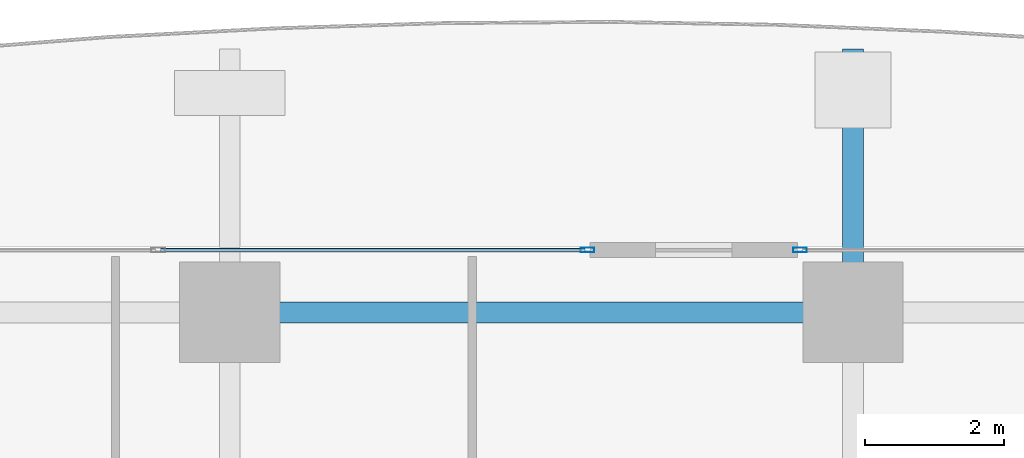
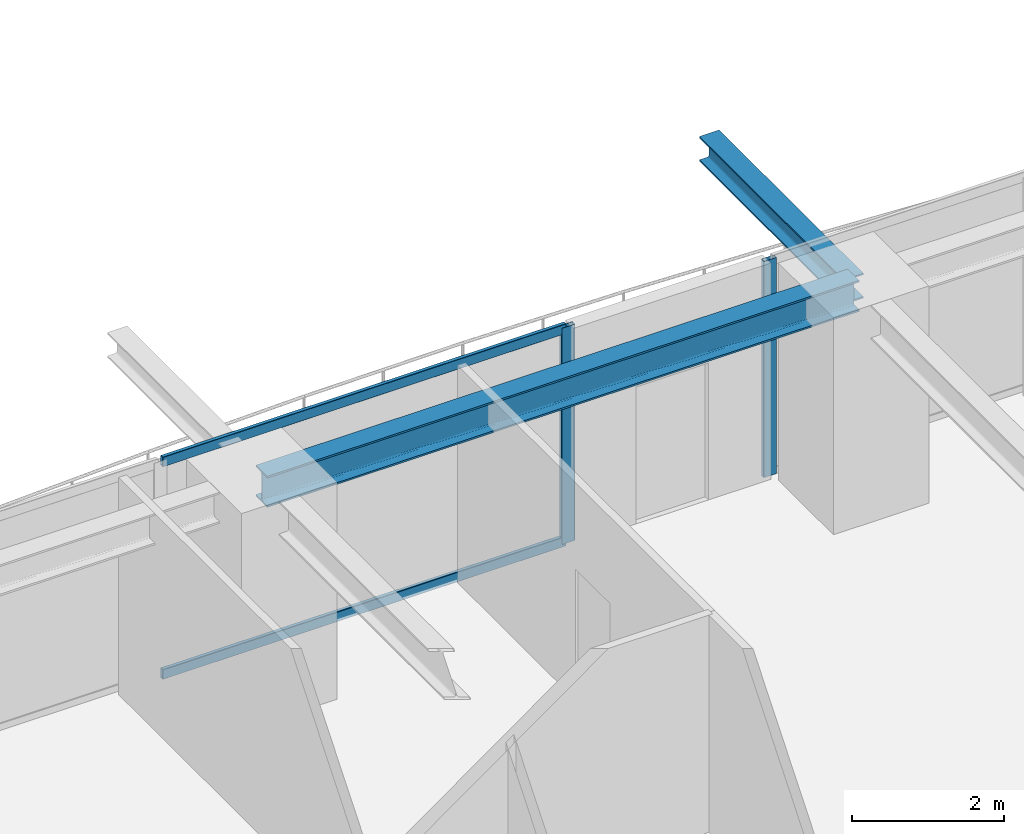
# One storey, part 20 of 38: 4 members, 2 beams, 2 elements without a shape of their own.
"""IFC4 building model written with IfcOpenShell, lengths in metres."""

from ifc_helpers import new_model, si_unit, direction, frame, origin, origin_2d, place, context, subcontext, project, spatial, hollow_rectangle, i_section, extrude, source, transform, mapped, material, layer, layer_set, material_profile, profile_set, type_object, element, aggregate, save


model = new_model("IFC4")

# Units and contexts
model_context = context("Model", 3, precision=1e-05, world=origin(), true_north=direction((0.0, 1.0)))
body_context = subcontext(model_context, "Body", "Model", "MODEL_VIEW")
ifc_project = project(units=[si_unit("LENGTHUNIT", "METRE"), si_unit("AREAUNIT", "SQUARE_METRE"), si_unit("VOLUMEUNIT", "CUBIC_METRE"), si_unit("PLANEANGLEUNIT", "RADIAN"), si_unit("MASSUNIT", "GRAM", prefix="KILO")], contexts=[model_context])

# Site, building, storey
site_placement = place(None, origin())
site = spatial("IfcSite", under=ifc_project, at=site_placement, CompositionType="ELEMENT")
building_placement = place(site_placement, origin())
building = spatial("IfcBuilding", under=site, at=building_placement, Name="Serunith Strait Residences", CompositionType="ELEMENT")
storey_placement = place(building_placement, frame((0.0, 0.0, 52.949951171875)))
storey = spatial("IfcBuildingStorey", under=building, at=storey_placement, Name="L12", CompositionType="ELEMENT", Elevation=52.949951171875)

# Beams
ifc_material_1 = material(Name="Steel S355J2", Category="steel")
ifc_material_profile_1 = material_profile(ifc_material_1, i_section(OverallWidth=0.300048828125, OverallDepth=0.5, WebThickness=0.014404296875, FlangeThickness=0.028076171875, FilletRadius=0.027099609375, at=origin_2d()), Name="HEB 500")
ifc_profile_set_1 = profile_set([ifc_material_profile_1], Name="Steel S355J2")
beam_type_1 = type_object("IfcBeamType", Name="BM-HEB500", PredefinedType="BEAM", material=ifc_profile_set_1)
shared_shape_1 = source(origin(), body_context, "Body", "SweptSolid", [
    extrude(i_section(OverallWidth=0.300048828125, OverallDepth=0.5, WebThickness=0.014404296875, FlangeThickness=0.028076171875, FilletRadius=0.027099609375, at=origin_2d()), origin(), (0.0, 0.0, 1.0), 9.0),
])
beam_1_placement = place(storey_placement, frame((36.89990234375, 49.300048828125, 3.237060546875), z_axis=(-1.0, 0.0, 0.0), x_axis=(0.0, -1.0, 0.0)))
element("IfcBeam", 1, at=beam_1_placement, inside=storey, type_object=beam_type_1, Name="L12 Perimeter Ring Beam 10", PredefinedType="BEAM", context=body_context, shape_type="MappedRepresentation", body=[
    mapped(shared_shape_1, transform((0.0, 0.0, 0.0), scale=1.0)),
])
ifc_material_profile_2 = material_profile(ifc_material_1, i_section(OverallWidth=0.300048828125, OverallDepth=0.39990234375, WebThickness=0.013427734375, FlangeThickness=0.02392578125, FilletRadius=0.027099609375, at=origin_2d()), Name="HEB 400")
ifc_profile_set_2 = profile_set([ifc_material_profile_2], Name="Steel S355J2")
beam_type_2 = type_object("IfcBeamType", Name="BM-HEB400", PredefinedType="BEAM", material=ifc_profile_set_2)
shared_shape_2 = source(origin(), body_context, "Body", "SweptSolid", [
    extrude(i_section(OverallWidth=0.300048828125, OverallDepth=0.39990234375, WebThickness=0.013427734375, FlangeThickness=0.02392578125, FilletRadius=0.027099609375, at=origin_2d()), origin(), (0.0, 0.0, 1.0), 3.800048828125),
])
beam_2_placement = place(storey_placement, frame((36.89990234375, 49.300048828125, 3.257080078125), z_axis=(0.0, 1.0, 0.0), x_axis=(-1.0, 0.0, 0.0)))
element("IfcBeam", 2, at=beam_2_placement, inside=storey, type_object=beam_type_2, Name="L13 Cantilevered Balcony Rib TC-N3", PredefinedType="BEAM", context=body_context, shape_type="MappedRepresentation", body=[
    mapped(shared_shape_2, transform((0.0, 0.0, 0.0), scale=1.0)),
])

# Curtain wall, member
ifc_material_2 = material(Name="Pale-Champagne Anodised Aluminium", Category="aluminium")
ifc_layer = layer(ifc_material_2, 0.199951171875, Name="Pale-Champagne Anodised Aluminium")
ifc_layer_set = layer_set([ifc_layer], Name="Pale-Champagne Anodised Aluminium")
curtain_wall_type = type_object("IfcCurtainWallType", Name="CW-SYS1", PredefinedType="NOTDEFINED", material=ifc_layer_set)
curtain_wall_1_placement = place(storey_placement, origin())
curtain_wall_1 = element("IfcCurtainWall", 3, at=curtain_wall_1_placement, inside=storey, type_object=curtain_wall_type, Name="L12 N Unitised Fritted Curtain Wall", PredefinedType="NOTDEFINED")
ifc_material_profile_3 = material_profile(ifc_material_2, hollow_rectangle(XDim=0.070068359375, YDim=0.199951171875, WallThickness=0.00390625, InnerFilletRadius=0.006103515625, OuterFilletRadius=0.010009765625, at=origin_2d()), Name="ALU 200x70x4")
ifc_profile_set_3 = profile_set([ifc_material_profile_3], Name="Pale-Champagne Anodised Aluminium")
member_type_1 = type_object("IfcMemberType", Name="CW-SYS1-MULL", PredefinedType="MULLION", material=ifc_profile_set_3)
shared_shape_3 = source(origin(), body_context, "Body", "SweptSolid", [
    extrude(hollow_rectangle(XDim=0.070068359375, YDim=0.199951171875, WallThickness=0.00390625, InnerFilletRadius=0.006103515625, OuterFilletRadius=0.010009765625, at=origin_2d()), origin(), (0.0, 0.0, 1.0), 3.47509765625),
])
member_1_placement = place(storey_placement, frame((36.135009765625, 50.199951171875, 0.0), z_axis=(0.0, 0.0, 1.0), x_axis=(0.0, -1.0, 0.0)))
member_1 = element("IfcMember", 4, at=member_1_placement, type_object=member_type_1, Name="CW-1 mullion 3", PredefinedType="MULLION", context=body_context, shape_type="MappedRepresentation", body=[
    mapped(shared_shape_3, transform((0.0, 0.0, 0.0), scale=1.0)),
])
aggregate(curtain_wall_1, [member_1])

# Curtain wall, members
curtain_wall_2_placement = place(storey_placement, origin())
curtain_wall_2 = element("IfcCurtainWall", 5, at=curtain_wall_2_placement, inside=storey, type_object=curtain_wall_type, Name="L12 N Unitised Fritted Curtain Wall", PredefinedType="NOTDEFINED")
member_2_placement = place(storey_placement, frame((33.06494140625, 50.199951171875, 0.0), z_axis=(0.0, 0.0, 1.0), x_axis=(0.0, -1.0, 0.0)))
member_2 = element("IfcMember", 6, at=member_2_placement, type_object=member_type_1, Name="CW-1 mullion 1", PredefinedType="MULLION", context=body_context, shape_type="MappedRepresentation", body=[
    mapped(shared_shape_3, transform((0.0, 0.0, 0.0), scale=1.0)),
])
ifc_material_profile_4 = material_profile(ifc_material_2, hollow_rectangle(XDim=0.06005859375, YDim=0.159912109375, WallThickness=0.00341796875, InnerFilletRadius=0.00537109375, OuterFilletRadius=0.0087890625, at=origin_2d()), Name="ALU 160x60x3.5")
ifc_profile_set_4 = profile_set([ifc_material_profile_4], Name="Pale-Champagne Anodised Aluminium")
member_type_2 = type_object("IfcMemberType", Name="CW-SYS1-TRAN", PredefinedType="USERDEFINED", material=ifc_profile_set_4)
shared_shape_4 = source(origin(), body_context, "Body", "SweptSolid", [
    extrude(hollow_rectangle(XDim=0.06005859375, YDim=0.159912109375, WallThickness=0.00341796875, InnerFilletRadius=0.00537109375, OuterFilletRadius=0.0087890625, at=origin_2d()), origin(), (0.0, 0.0, 1.0), 6.12841796875),
])
member_3_placement = place(storey_placement, frame((33.030029296875, 50.199951171875, 0.030029296875), z_axis=(-1.0, 0.0, 0.0), x_axis=(0.0, -1.0, 0.0)))
member_3 = element("IfcMember", 7, at=member_3_placement, type_object=member_type_2, Name="CW-1 transom 1.1", ObjectType="TRANSOM", PredefinedType="USERDEFINED", context=body_context, shape_type="MappedRepresentation", body=[
    mapped(shared_shape_4, transform((0.0, 0.0, 0.0), scale=1.0)),
])
member_4_placement = place(storey_placement, frame((33.030029296875, 50.199951171875, 3.445068359375), z_axis=(-1.0, 0.0, 0.0), x_axis=(0.0, -1.0, 0.0)))
member_4 = element("IfcMember", 8, at=member_4_placement, type_object=member_type_2, Name="CW-1 transom 1.2", ObjectType="TRANSOM", PredefinedType="USERDEFINED", context=body_context, shape_type="MappedRepresentation", body=[
    mapped(shared_shape_4, transform((0.0, 0.0, 0.0), scale=1.0)),
])
aggregate(curtain_wall_2, [member_2, member_3, member_4])

save(model, "model.ifc")
